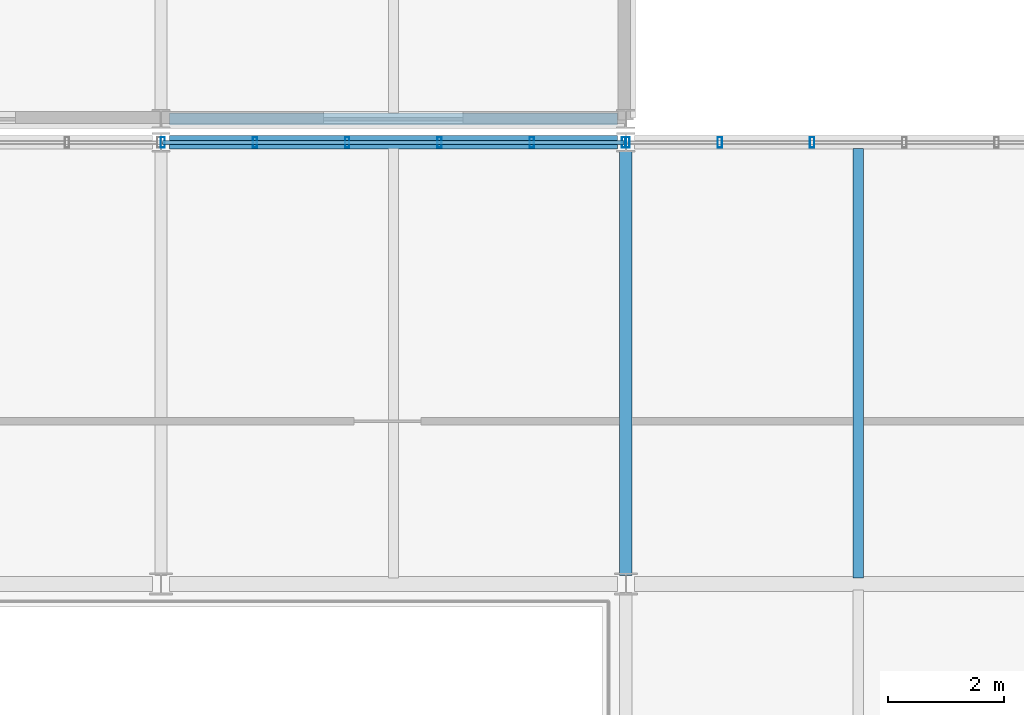
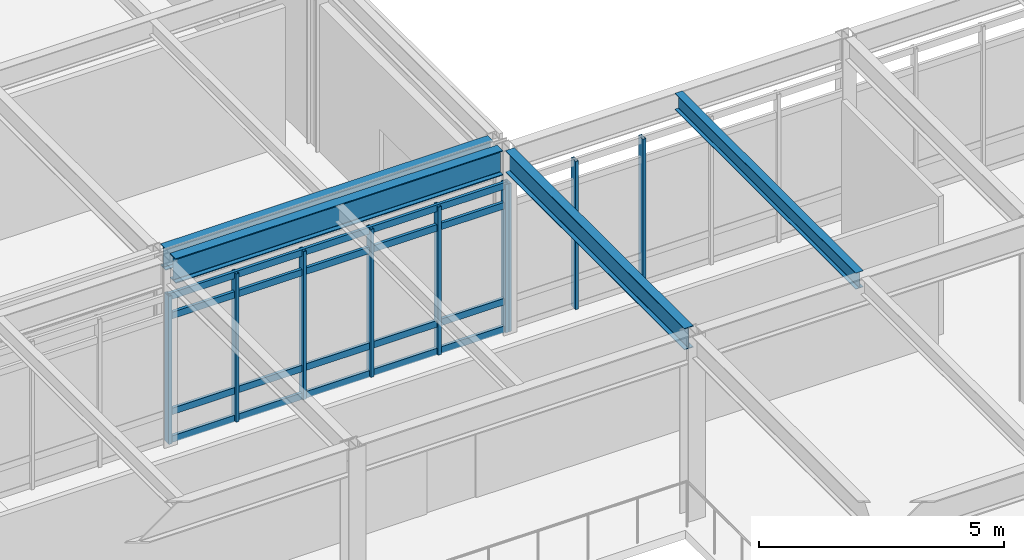
# One storey, part 53 of 104: 13 members, 4 beams, 2 elements without a shape of their own.
"""IFC4 building model written with IfcOpenShell, lengths in metres."""

from ifc_helpers import new_model, si_unit, direction, frame, origin, origin_2d, place, context, subcontext, project, spatial, hollow_rectangle, i_section, extrude, material, material_profile, profile_set, type_object, element, aggregate, save


model = new_model("IFC4")

# Units and contexts
model_context = context("Model", 3, precision=1e-05, world=origin(), true_north=direction((0.0, 1.0)))
body_context = subcontext(model_context, "Body", "Model", "MODEL_VIEW")
ifc_project = project(units=[si_unit("LENGTHUNIT", "METRE"), si_unit("AREAUNIT", "SQUARE_METRE"), si_unit("VOLUMEUNIT", "CUBIC_METRE"), si_unit("PLANEANGLEUNIT", "RADIAN"), si_unit("MASSUNIT", "GRAM", prefix="KILO")], contexts=[model_context])

# Site, building, storey
site_placement = place(None, origin())
site = spatial("IfcSite", under=ifc_project, at=site_placement, CompositionType="ELEMENT")
building_placement = place(site_placement, origin())
building = spatial("IfcBuilding", under=site, at=building_placement, Name="Zulena Civic Courthouse", CompositionType="ELEMENT")
storey_placement = place(building_placement, frame((0.0, 0.0, 10.800048828125)))
storey = spatial("IfcBuildingStorey", under=building, at=storey_placement, Name="L02", CompositionType="ELEMENT", Elevation=10.800048828125)

# Curtain wall, members
ifc_material_1 = material(Name="Double-silver low-E laminated solar-control glass", Category="glass")
curtain_wall_type = type_object("IfcCurtainWallType", Name="CW_7940x3690", PredefinedType="USERDEFINED", material=ifc_material_1)
curtain_wall_1_placement = place(storey_placement, origin())
curtain_wall_1 = element("IfcCurtainWall", 1, at=curtain_wall_1_placement, inside=storey, type_object=curtain_wall_type, Name="cw:V4:L02:1:4", ObjectType="UNITISED CURTAIN WALL", PredefinedType="USERDEFINED")
ifc_material_2 = material(Name="Bronze anodised thermally broken aluminium AA6063-T6", Category="aluminium")
ifc_material_profile_1 = material_profile(ifc_material_2, hollow_rectangle(XDim=0.074951171875, YDim=0.179931640625, WallThickness=0.0048828125, at=origin_2d()), Name="CWM180X75X5")
ifc_profile_set_1 = profile_set([ifc_material_profile_1], Name="Bronze anodised thermally broken aluminium AA6063-T6")
member_type_1 = type_object("IfcMemberType", Name="CWMullion_180x75", PredefinedType="MULLION", material=ifc_profile_set_1)
member_1_placement = place(storey_placement, frame((100.030029296875, 45.60009765625, 0.0), z_axis=(0.0, 0.0, 1.0), x_axis=(1.0, 0.0, 0.0)))
member_1 = element("IfcMember", 2, at=member_1_placement, type_object=member_type_1, Name="cw:V4:L02:1:4:mull:0", PredefinedType="MULLION", context=body_context, shape_type="SweptSolid", body=[
    extrude(hollow_rectangle(XDim=0.074951171875, YDim=0.179931640625, WallThickness=0.0048828125, at=origin_2d()), origin(), (0.0, 0.0, 1.0), 3.68994140625),
])
member_2_placement = place(storey_placement, frame((101.617919921875, 45.60009765625, 0.0), z_axis=(0.0, 0.0, 1.0), x_axis=(1.0, 0.0, 0.0)))
member_2 = element("IfcMember", 3, at=member_2_placement, type_object=member_type_1, Name="cw:V4:L02:1:4:mull:1", PredefinedType="MULLION", context=body_context, shape_type="SweptSolid", body=[
    extrude(hollow_rectangle(XDim=0.074951171875, YDim=0.179931640625, WallThickness=0.0048828125, at=origin_2d()), origin(), (0.0, 0.0, 1.0), 3.68994140625),
])
member_3_placement = place(storey_placement, frame((103.2060546875, 45.60009765625, 0.0), z_axis=(0.0, 0.0, 1.0), x_axis=(1.0, 0.0, 0.0)))
member_3 = element("IfcMember", 4, at=member_3_placement, type_object=member_type_1, Name="cw:V4:L02:1:4:mull:2", PredefinedType="MULLION", context=body_context, shape_type="SweptSolid", body=[
    extrude(hollow_rectangle(XDim=0.074951171875, YDim=0.179931640625, WallThickness=0.0048828125, at=origin_2d()), origin(), (0.0, 0.0, 1.0), 3.68994140625),
])
member_4_placement = place(storey_placement, frame((104.7939453125, 45.60009765625, 0.0), z_axis=(0.0, 0.0, 1.0), x_axis=(1.0, 0.0, 0.0)))
member_4 = element("IfcMember", 5, at=member_4_placement, type_object=member_type_1, Name="cw:V4:L02:1:4:mull:3", PredefinedType="MULLION", context=body_context, shape_type="SweptSolid", body=[
    extrude(hollow_rectangle(XDim=0.074951171875, YDim=0.179931640625, WallThickness=0.0048828125, at=origin_2d()), origin(), (0.0, 0.0, 1.0), 3.68994140625),
])
member_5_placement = place(storey_placement, frame((106.382080078125, 45.60009765625, 0.0), z_axis=(0.0, 0.0, 1.0), x_axis=(1.0, 0.0, 0.0)))
member_5 = element("IfcMember", 6, at=member_5_placement, type_object=member_type_1, Name="cw:V4:L02:1:4:mull:4", PredefinedType="MULLION", context=body_context, shape_type="SweptSolid", body=[
    extrude(hollow_rectangle(XDim=0.074951171875, YDim=0.179931640625, WallThickness=0.0048828125, at=origin_2d()), origin(), (0.0, 0.0, 1.0), 3.68994140625),
])
member_6_placement = place(storey_placement, frame((107.969970703125, 45.60009765625, 0.0), z_axis=(0.0, 0.0, 1.0), x_axis=(1.0, 0.0, 0.0)))
member_6 = element("IfcMember", 7, at=member_6_placement, type_object=member_type_1, Name="cw:V4:L02:1:4:mull:5", PredefinedType="MULLION", context=body_context, shape_type="SweptSolid", body=[
    extrude(hollow_rectangle(XDim=0.074951171875, YDim=0.179931640625, WallThickness=0.0048828125, at=origin_2d()), origin(), (0.0, 0.0, 1.0), 3.68994140625),
])

curtain_wall_2_placement = place(storey_placement, origin())
curtain_wall_2 = element("IfcCurtainWall", 8, at=curtain_wall_2_placement, inside=storey, type_object=curtain_wall_type, Name="cw:V4:L02:1:5", ObjectType="UNITISED CURTAIN WALL", PredefinedType="USERDEFINED")
member_7_placement = place(storey_placement, frame((108.030029296875, 45.60009765625, 0.0), z_axis=(0.0, 0.0, 1.0), x_axis=(1.0, 0.0, 0.0)))
member_7 = element("IfcMember", 9, at=member_7_placement, type_object=member_type_1, Name="cw:V4:L02:1:5:mull:0", PredefinedType="MULLION", context=body_context, shape_type="SweptSolid", body=[
    extrude(hollow_rectangle(XDim=0.074951171875, YDim=0.179931640625, WallThickness=0.0048828125, at=origin_2d()), origin(), (0.0, 0.0, 1.0), 3.68994140625),
])
member_8_placement = place(storey_placement, frame((109.617919921875, 45.60009765625, 0.0), z_axis=(0.0, 0.0, 1.0), x_axis=(1.0, 0.0, 0.0)))
member_8 = element("IfcMember", 10, at=member_8_placement, type_object=member_type_1, Name="cw:V4:L02:1:5:mull:1", PredefinedType="MULLION", context=body_context, shape_type="SweptSolid", body=[
    extrude(hollow_rectangle(XDim=0.074951171875, YDim=0.179931640625, WallThickness=0.0048828125, at=origin_2d()), origin(), (0.0, 0.0, 1.0), 3.68994140625),
])
member_9_placement = place(storey_placement, frame((111.2060546875, 45.60009765625, 0.0), z_axis=(0.0, 0.0, 1.0), x_axis=(1.0, 0.0, 0.0)))
member_9 = element("IfcMember", 11, at=member_9_placement, type_object=member_type_1, Name="cw:V4:L02:1:5:mull:2", PredefinedType="MULLION", context=body_context, shape_type="SweptSolid", body=[
    extrude(hollow_rectangle(XDim=0.074951171875, YDim=0.179931640625, WallThickness=0.0048828125, at=origin_2d()), origin(), (0.0, 0.0, 1.0), 3.68994140625),
])
aggregate(curtain_wall_2, [member_7, member_8, member_9])

# Member
ifc_material_profile_2 = material_profile(ifc_material_2, hollow_rectangle(XDim=0.070068359375, YDim=0.1650390625, WallThickness=0.00390625, at=origin_2d()), Name="CWT165X70X4")
ifc_profile_set_2 = profile_set([ifc_material_profile_2], Name="Bronze anodised thermally broken aluminium AA6063-T6")
member_type_2 = type_object("IfcMemberType", Name="CWTransom_165x70", PredefinedType="USERDEFINED", material=ifc_profile_set_2)
member_10_placement = place(storey_placement, frame((100.030029296875, 45.60009765625, 0.06005859375), z_axis=(1.0, 0.0, 0.0), x_axis=(0.0, 1.0, 0.0)))
member_10 = element("IfcMember", 12, at=member_10_placement, type_object=member_type_2, Name="cw:V4:L02:1:4:tran:0", ObjectType="TRANSOM", PredefinedType="USERDEFINED", context=body_context, shape_type="SweptSolid", body=[
    extrude(hollow_rectangle(XDim=0.070068359375, YDim=0.1650390625, WallThickness=0.00390625, at=origin_2d()), origin(), (0.0, 0.0, 1.0), 7.93994140625),
])

member_11_placement = place(storey_placement, frame((100.030029296875, 45.60009765625, 0.75), z_axis=(1.0, 0.0, 0.0), x_axis=(0.0, 1.0, 0.0)))
member_11 = element("IfcMember", 13, at=member_11_placement, type_object=member_type_2, Name="cw:V4:L02:1:4:tran:1", ObjectType="TRANSOM", PredefinedType="USERDEFINED", context=body_context, shape_type="SweptSolid", body=[
    extrude(hollow_rectangle(XDim=0.070068359375, YDim=0.1650390625, WallThickness=0.00390625, at=origin_2d()), origin(), (0.0, 0.0, 1.0), 7.93994140625),
])

member_12_placement = place(storey_placement, frame((100.030029296875, 45.60009765625, 3.139892578125), z_axis=(1.0, 0.0, 0.0), x_axis=(0.0, 1.0, 0.0)))
member_12 = element("IfcMember", 14, at=member_12_placement, type_object=member_type_2, Name="cw:V4:L02:1:4:tran:2", ObjectType="TRANSOM", PredefinedType="USERDEFINED", context=body_context, shape_type="SweptSolid", body=[
    extrude(hollow_rectangle(XDim=0.070068359375, YDim=0.1650390625, WallThickness=0.00390625, at=origin_2d()), origin(), (0.0, 0.0, 1.0), 7.93994140625),
])

member_13_placement = place(storey_placement, frame((100.030029296875, 45.60009765625, 3.6298828125), z_axis=(1.0, 0.0, 0.0), x_axis=(0.0, 1.0, 0.0)))
member_13 = element("IfcMember", 15, at=member_13_placement, type_object=member_type_2, Name="cw:V4:L02:1:4:tran:3", ObjectType="TRANSOM", PredefinedType="USERDEFINED", context=body_context, shape_type="SweptSolid", body=[
    extrude(hollow_rectangle(XDim=0.070068359375, YDim=0.1650390625, WallThickness=0.00390625, at=origin_2d()), origin(), (0.0, 0.0, 1.0), 7.93994140625),
])

aggregate(curtain_wall_1, [member_1, member_2, member_3, member_4, member_5, member_6, member_10, member_11, member_12, member_13])

# Beams
ifc_material_3 = material(Name="Steel ASTM A992 Grade 50", Category="steel")
ifc_material_profile_3 = material_profile(ifc_material_3, i_section(OverallWidth=0.177978515625, OverallDepth=0.406005859375, WebThickness=0.0078125, FlangeThickness=0.0126953125, FilletRadius=0.01025390625, at=origin_2d()), Name="W16X40")
ifc_profile_set_3 = profile_set([ifc_material_profile_3], Name="Steel ASTM A992 Grade 50")
beam_type_1 = type_object("IfcBeamType", Name="Joist_W16X40", PredefinedType="JOIST", material=ifc_profile_set_3)
beam_1_placement = place(storey_placement, frame((112.0, 38.10498046875, 4.386962890625), z_axis=(0.0, 1.0, 0.0), x_axis=(-1.0, 0.0, 0.0)))
element("IfcBeam", 16, at=beam_1_placement, inside=storey, type_object=beam_type_1, Name="joist:V4:L02:112.00:38.0_45.6", PredefinedType="JOIST", context=body_context, shape_type="SweptSolid", body=[
    extrude(i_section(OverallWidth=0.177978515625, OverallDepth=0.406005859375, WebThickness=0.0078125, FlangeThickness=0.0126953125, FilletRadius=0.01025390625, at=origin_2d()), origin(), (0.0, 0.0, 1.0), 7.39013671875),
])
ifc_material_profile_4 = material_profile(ifc_material_3, i_section(OverallWidth=0.2099609375, OverallDepth=0.537109375, WebThickness=0.010986328125, FlangeThickness=0.017333984375, FilletRadius=0.0126953125, at=origin_2d()), Name="W21X68")
ifc_profile_set_4 = profile_set([ifc_material_profile_4], Name="Steel ASTM A992 Grade 50")
beam_type_2 = type_object("IfcBeamType", Name="Spandrel_W21X68", PredefinedType="SPANDREL", material=ifc_profile_set_4)
beam_2_placement = place(storey_placement, frame((108.0, 38.14501953125, 4.321533203125), z_axis=(0.0, 1.0, 0.0), x_axis=(-1.0, 0.0, 0.0)))
element("IfcBeam", 17, at=beam_2_placement, inside=storey, type_object=beam_type_2, Name="beam:Y:V4:L02:108.0:38.0_45.6", PredefinedType="SPANDREL", context=body_context, shape_type="SweptSolid", body=[
    extrude(i_section(OverallWidth=0.2099609375, OverallDepth=0.537109375, WebThickness=0.010986328125, FlangeThickness=0.017333984375, FilletRadius=0.0126953125, at=origin_2d()), origin(), (0.0, 0.0, 1.0), 7.31005859375),
])
beam_3_placement = place(storey_placement, frame((100.14501953125, 46.0, 4.321533203125), z_axis=(1.0, 0.0, 0.0), x_axis=(0.0, 1.0, 0.0)))
element("IfcBeam", 18, at=beam_3_placement, inside=storey, type_object=beam_type_2, Name="beam:X:V5:L02:46.0:100.0_108.0", PredefinedType="SPANDREL", context=body_context, shape_type="SweptSolid", body=[
    extrude(i_section(OverallWidth=0.2099609375, OverallDepth=0.537109375, WebThickness=0.010986328125, FlangeThickness=0.017333984375, FilletRadius=0.0126953125, at=origin_2d()), origin(), (0.0, 0.0, 1.0), 7.7099609375),
])
ifc_material_profile_5 = material_profile(ifc_material_3, i_section(OverallWidth=0.22998046875, OverallDepth=0.616943359375, WebThickness=0.01318359375, FlangeThickness=0.022216796875, FilletRadius=0.0126953125, at=origin_2d()), Name="W24X94")
ifc_profile_set_5 = profile_set([ifc_material_profile_5], Name="Steel ASTM A992 Grade 50")
beam_type_3 = type_object("IfcBeamType", Name="Spandrel_W24X94", PredefinedType="SPANDREL", material=ifc_profile_set_5)
beam_4_placement = place(storey_placement, frame((100.14501953125, 45.60009765625, 4.281494140625), z_axis=(1.0, 0.0, 0.0), x_axis=(0.0, 1.0, 0.0)))
element("IfcBeam", 19, at=beam_4_placement, inside=storey, type_object=beam_type_3, Name="beam:X:V4:L02:45.6:100.0_108.0", PredefinedType="SPANDREL", context=body_context, shape_type="SweptSolid", body=[
    extrude(i_section(OverallWidth=0.22998046875, OverallDepth=0.616943359375, WebThickness=0.01318359375, FlangeThickness=0.022216796875, FilletRadius=0.0126953125, at=origin_2d()), origin(), (0.0, 0.0, 1.0), 7.7099609375),
])

save(model, "model.ifc")
